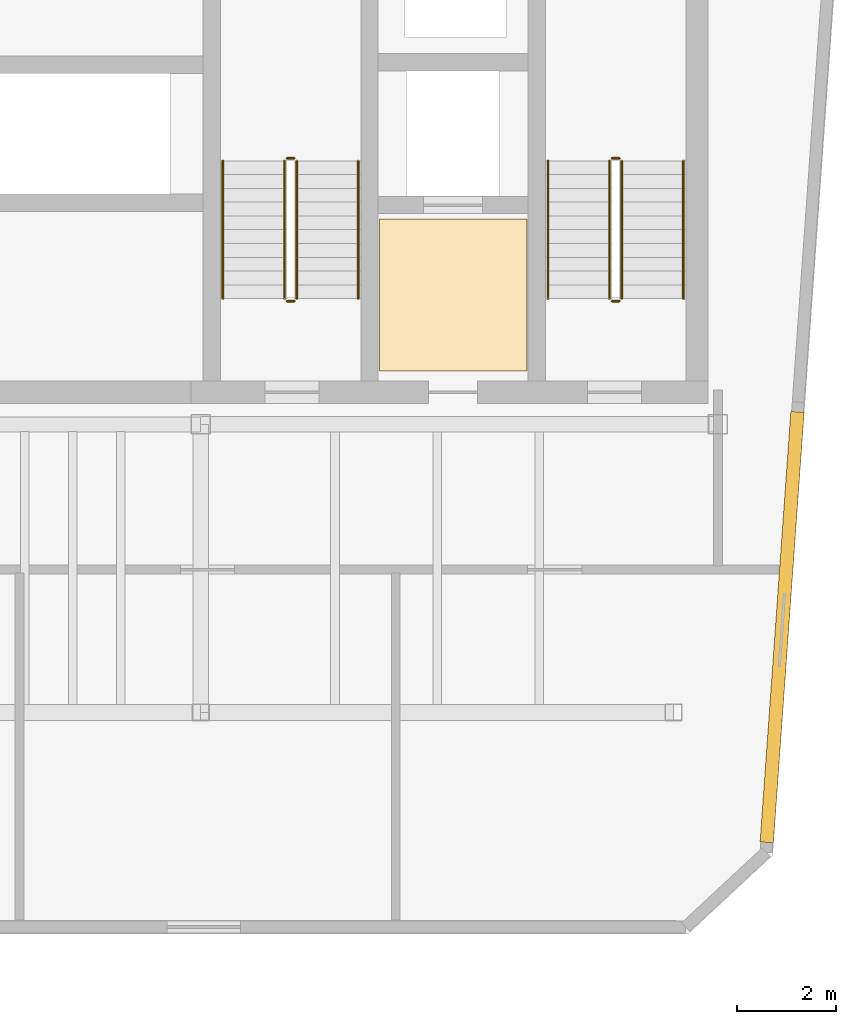
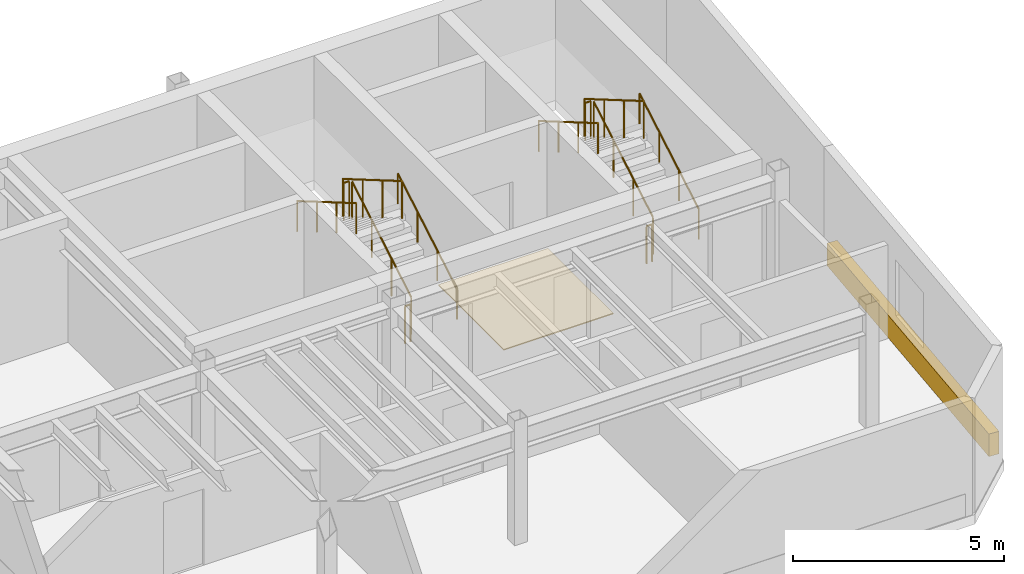
# One storey, part 4 of 4: 12 railings, 2 coverings.
"""IFC4 building model written with IfcOpenShell, lengths in metres."""

from ifc_helpers import new_model, si_unit, direction, frame, origin, origin_2d, place, context, subcontext, project, spatial, polyline, rectangle, circle, outline, extrude, material, layer, layer_set, type_object, element, save


model = new_model("IFC4")

# Units and contexts
model_context = context("Model", 3, precision=1e-05, world=origin(), true_north=direction((0.0, 1.0)))
body_context = subcontext(model_context, "Body", "Model", "MODEL_VIEW")
ifc_project = project(units=[si_unit("LENGTHUNIT", "METRE"), si_unit("AREAUNIT", "SQUARE_METRE"), si_unit("VOLUMEUNIT", "CUBIC_METRE"), si_unit("PLANEANGLEUNIT", "RADIAN"), si_unit("MASSUNIT", "GRAM", prefix="KILO")], contexts=[model_context])

# Site, building, storey
site_placement = place(None, origin())
site = spatial("IfcSite", under=ifc_project, at=site_placement, CompositionType="ELEMENT")
building_placement = place(site_placement, origin())
building = spatial("IfcBuilding", under=site, at=building_placement, Name="Kravanh Interchange Tower", CompositionType="ELEMENT")
storey_placement = place(building_placement, frame((0.0, 0.0, 315.60009765625)))
storey = spatial("IfcBuildingStorey", under=building, at=storey_placement, Name="L78", CompositionType="ELEMENT", Elevation=315.60009765625)

# Coverings
ifc_material_1 = material(Name="Anodised Champagne Bronze Aluminium", Category="aluminium")
ifc_layer_1 = layer(ifc_material_1, 0.02490234375)
ifc_layer_set_1 = layer_set([ifc_layer_1], Name="Anodised Bronze Spandrel Fascia Cladding 25mm")
covering_type_1 = type_object("IfcCoveringType", Name="Anodised Bronze Spandrel Fascia Cladding 25mm", PredefinedType="CLADDING", material=ifc_layer_set_1)
covering_1_placement = place(storey_placement, frame((67.8046875, 33.23046875, 0.02490234375), z_axis=(0.0, 0.0, 1.0), x_axis=(-0.071246253895, -0.997458756694, 0.0)))
element("IfcCovering", 1, at=covering_1_placement, inside=storey, type_object=covering_type_1, Name="L78 Bronze Fascia Cladding 7", PredefinedType="CLADDING", context=body_context, shape_type="SweptSolid", body=[
    extrude(rectangle(XDim=8.761962890625, YDim=0.27001953125, at=origin_2d()), origin(), (0.0, 0.0, 1.0), 0.64990234375),
])
ifc_material_2 = material(Name="Cementitious Terrazzo Tile")
ifc_layer_2 = layer(ifc_material_2, 0.030029296875)
ifc_layer_set_2 = layer_set([ifc_layer_2], Name="Honed Terrazzo Lobby Flooring 30mm")
covering_type_2 = type_object("IfcCoveringType", Name="Honed Terrazzo Lobby Flooring 30mm", PredefinedType="FLOORING", material=ifc_layer_set_2)
covering_2_placement = place(storey_placement, origin())
element("IfcCovering", 2, at=covering_2_placement, inside=storey, type_object=covering_type_2, Name="L78 Service Lift Lobby Floor Finish", PredefinedType="FLOORING", context=body_context, shape_type="SweptSolid", body=[
    extrude(outline(polyline([(59.6298828125, 41.52001953125), (62.6201171875, 41.52001953125), (62.6201171875, 38.429931640625), (59.6298828125, 38.429931640625), (59.6298828125, 41.52001953125)])), origin(), (0.0, 0.0, 1.0), 0.02978515625),
])

# Railings
ifc_material_3 = material(Name="Structural Steel S355", Category="steel")
ifc_layer_3 = layer(ifc_material_3, 0.050048828125)
ifc_layer_set_3 = layer_set([ifc_layer_3], Name="Stair Well Guardrail Structural Steel S355 1100mm")
railing_type_1 = type_object("IfcRailingType", Name="Stair Well Guardrail Structural Steel S355 1100mm", PredefinedType="GUARDRAIL", material=ifc_layer_set_3)
railing_1_placement = place(storey_placement, frame((64.550048828125, 39.89990234375, 0.16357421875)))
element("IfcRailing", 3, at=railing_1_placement, inside=storey, type_object=railing_type_1, Name="L78 ST1 stair guard 1", PredefinedType="GUARDRAIL", context=body_context, shape_type="SweptSolid", body=[
    extrude(circle(Radius=0.02392578125, at=origin_2d()), frame((0.0, 0.0, 1.076171875), z_axis=(0.0, 0.863393664356, 0.504530851732), x_axis=(-1.0, 0.0, 0.0)), (0.0, 0.0, 1.0), 3.2431640625),
    extrude(circle(Radius=0.02099609375, at=origin_2d()), origin(), (0.0, 0.0, 1.0), 1.052001953125),
    extrude(circle(Radius=0.02099609375, at=origin_2d()), frame((0.0, 0.933349609375, 0.54541015625)), (0.0, 0.0, 1.0), 1.052001953125),
    extrude(circle(Radius=0.02099609375, at=origin_2d()), frame((0.0, 1.86669921875, 1.0908203125)), (0.0, 0.0, 1.0), 1.052001953125),
    extrude(circle(Radius=0.02099609375, at=origin_2d()), frame((0.0, 2.800048828125, 1.63623046875)), (0.0, 0.0, 1.0), 1.052001953125),
])
railing_2_placement = place(storey_placement, frame((64.5, 42.75, 1.7998046875)))
element("IfcRailing", 4, at=railing_2_placement, inside=storey, type_object=railing_type_1, Name="L78 ST1 stair guard 2", PredefinedType="GUARDRAIL", context=body_context, shape_type="SweptSolid", body=[
    extrude(circle(Radius=0.02392578125, at=origin_2d()), frame((0.0, 0.0, 1.076171875), z_axis=(-1.0, 0.0, 0.0), x_axis=(0.0, -1.0, 0.0)), (0.0, 0.0, 1.0), 0.14990234375),
    extrude(circle(Radius=0.02099609375, at=origin_2d()), origin(), (0.0, 0.0, 1.0), 1.052001953125),
    extrude(circle(Radius=0.02099609375, at=origin_2d()), frame((-0.14990234375, 0.0, 0.0)), (0.0, 0.0, 1.0), 1.052001953125),
])
railing_3_placement = place(storey_placement, frame((64.300048828125, 42.699951171875, 1.963623046875)))
element("IfcRailing", 5, at=railing_3_placement, inside=storey, type_object=railing_type_1, Name="L78 ST1 stair guard 3", PredefinedType="GUARDRAIL", context=body_context, shape_type="SweptSolid", body=[
    extrude(circle(Radius=0.02392578125, at=origin_2d()), frame((0.0, 0.0, 1.076171875), z_axis=(0.0, -0.863393664356, 0.504530851732), x_axis=(1.0, 0.0, 0.0)), (0.0, 0.0, 1.0), 3.2431640625),
    extrude(circle(Radius=0.02099609375, at=origin_2d()), origin(), (0.0, 0.0, 1.0), 1.052001953125),
    extrude(circle(Radius=0.02099609375, at=origin_2d()), frame((0.0, -0.933349609375, 0.54541015625)), (0.0, 0.0, 1.0), 1.052001953125),
    extrude(circle(Radius=0.02099609375, at=origin_2d()), frame((0.0, -1.86669921875, 1.0908203125)), (0.0, 0.0, 1.0), 1.052001953125),
    extrude(circle(Radius=0.02099609375, at=origin_2d()), frame((0.0, -2.800048828125, 1.63623046875)), (0.0, 0.0, 1.0), 1.052001953125),
])
railing_4_placement = place(storey_placement, frame((64.5, 39.85009765625, 0.0)))
element("IfcRailing", 6, at=railing_4_placement, inside=storey, type_object=railing_type_1, Name="L78 ST1 stair guard 4", PredefinedType="GUARDRAIL", context=body_context, shape_type="SweptSolid", body=[
    extrude(circle(Radius=0.02392578125, at=origin_2d()), frame((0.0, 0.0, 1.076171875), z_axis=(-1.0, 0.0, 0.0), x_axis=(0.0, -1.0, 0.0)), (0.0, 0.0, 1.0), 0.14990234375),
    extrude(circle(Radius=0.02099609375, at=origin_2d()), origin(), (0.0, 0.0, 1.0), 1.052001953125),
    extrude(circle(Radius=0.02099609375, at=origin_2d()), frame((-0.14990234375, 0.0, 0.0)), (0.0, 0.0, 1.0), 1.052001953125),
])
railing_5_placement = place(storey_placement, frame((57.949951171875, 39.89990234375, 0.16357421875)))
element("IfcRailing", 7, at=railing_5_placement, inside=storey, type_object=railing_type_1, Name="L78 ST2 stair guard 1", PredefinedType="GUARDRAIL", context=body_context, shape_type="SweptSolid", body=[
    extrude(circle(Radius=0.02392578125, at=origin_2d()), frame((0.0, 0.0, 1.076171875), z_axis=(0.0, 0.863393664356, 0.504530851732), x_axis=(-1.0, 0.0, 0.0)), (0.0, 0.0, 1.0), 3.2431640625),
    extrude(circle(Radius=0.02099609375, at=origin_2d()), origin(), (0.0, 0.0, 1.0), 1.052001953125),
    extrude(circle(Radius=0.02099609375, at=origin_2d()), frame((0.0, 0.933349609375, 0.54541015625)), (0.0, 0.0, 1.0), 1.052001953125),
    extrude(circle(Radius=0.02099609375, at=origin_2d()), frame((0.0, 1.86669921875, 1.0908203125)), (0.0, 0.0, 1.0), 1.052001953125),
    extrude(circle(Radius=0.02099609375, at=origin_2d()), frame((0.0, 2.800048828125, 1.63623046875)), (0.0, 0.0, 1.0), 1.052001953125),
])
railing_6_placement = place(storey_placement, frame((57.89990234375, 42.75, 1.7998046875)))
element("IfcRailing", 8, at=railing_6_placement, inside=storey, type_object=railing_type_1, Name="L78 ST2 stair guard 2", PredefinedType="GUARDRAIL", context=body_context, shape_type="SweptSolid", body=[
    extrude(circle(Radius=0.02392578125, at=origin_2d()), frame((0.0, 0.0, 1.076171875), z_axis=(-1.0, 0.0, 0.0), x_axis=(0.0, -1.0, 0.0)), (0.0, 0.0, 1.0), 0.14990234375),
    extrude(circle(Radius=0.02099609375, at=origin_2d()), origin(), (0.0, 0.0, 1.0), 1.052001953125),
    extrude(circle(Radius=0.02099609375, at=origin_2d()), frame((-0.14990234375, 0.0, 0.0)), (0.0, 0.0, 1.0), 1.052001953125),
])
railing_7_placement = place(storey_placement, frame((57.699951171875, 42.699951171875, 1.963623046875)))
element("IfcRailing", 9, at=railing_7_placement, inside=storey, type_object=railing_type_1, Name="L78 ST2 stair guard 3", PredefinedType="GUARDRAIL", context=body_context, shape_type="SweptSolid", body=[
    extrude(circle(Radius=0.02392578125, at=origin_2d()), frame((0.0, 0.0, 1.076171875), z_axis=(0.0, -0.863393664356, 0.504530851732), x_axis=(1.0, 0.0, 0.0)), (0.0, 0.0, 1.0), 3.2431640625),
    extrude(circle(Radius=0.02099609375, at=origin_2d()), origin(), (0.0, 0.0, 1.0), 1.052001953125),
    extrude(circle(Radius=0.02099609375, at=origin_2d()), frame((0.0, -0.933349609375, 0.54541015625)), (0.0, 0.0, 1.0), 1.052001953125),
    extrude(circle(Radius=0.02099609375, at=origin_2d()), frame((0.0, -1.86669921875, 1.0908203125)), (0.0, 0.0, 1.0), 1.052001953125),
    extrude(circle(Radius=0.02099609375, at=origin_2d()), frame((0.0, -2.800048828125, 1.63623046875)), (0.0, 0.0, 1.0), 1.052001953125),
])
railing_8_placement = place(storey_placement, frame((57.89990234375, 39.85009765625, 0.0)))
element("IfcRailing", 10, at=railing_8_placement, inside=storey, type_object=railing_type_1, Name="L78 ST2 stair guard 4", PredefinedType="GUARDRAIL", context=body_context, shape_type="SweptSolid", body=[
    extrude(circle(Radius=0.02392578125, at=origin_2d()), frame((0.0, 0.0, 1.076171875), z_axis=(-1.0, 0.0, 0.0), x_axis=(0.0, -1.0, 0.0)), (0.0, 0.0, 1.0), 0.14990234375),
    extrude(circle(Radius=0.02099609375, at=origin_2d()), origin(), (0.0, 0.0, 1.0), 1.052001953125),
    extrude(circle(Radius=0.02099609375, at=origin_2d()), frame((-0.14990234375, 0.0, 0.0)), (0.0, 0.0, 1.0), 1.052001953125),
])
ifc_material_4 = material(Name="Stainless Steel 304", Category="steel")
ifc_layer_4 = layer(ifc_material_4, 0.044921875)
ifc_layer_set_4 = layer_set([ifc_layer_4], Name="Tubular Stair Handrail Stainless 304 900mm")
railing_type_2 = type_object("IfcRailingType", Name="Tubular Stair Handrail Stainless 304 900mm", PredefinedType="HANDRAIL", material=ifc_layer_set_4)
railing_9_placement = place(storey_placement, frame((65.800048828125, 39.89990234375, 0.16357421875)))
element("IfcRailing", 11, at=railing_9_placement, inside=storey, type_object=railing_type_2, Name="L78 ST1 stair handrail 1", PredefinedType="HANDRAIL", context=body_context, shape_type="SweptSolid", body=[
    extrude(circle(Radius=0.02392578125, at=origin_2d()), frame((0.0, 0.0, 0.8759765625), z_axis=(0.0, 0.863393664356, 0.504530851732), x_axis=(-1.0, 0.0, 0.0)), (0.0, 0.0, 1.0), 3.2431640625),
    extrude(circle(Radius=0.02099609375, at=origin_2d()), origin(), (0.0, 0.0, 1.0), 0.851806640625),
    extrude(circle(Radius=0.02099609375, at=origin_2d()), frame((0.0, 0.933349609375, 0.54541015625)), (0.0, 0.0, 1.0), 0.851806640625),
    extrude(circle(Radius=0.02099609375, at=origin_2d()), frame((0.0, 1.86669921875, 1.0908203125)), (0.0, 0.0, 1.0), 0.851806640625),
    extrude(circle(Radius=0.02099609375, at=origin_2d()), frame((0.0, 2.800048828125, 1.63623046875)), (0.0, 0.0, 1.0), 0.851806640625),
])
railing_10_placement = place(storey_placement, frame((63.050048828125, 42.699951171875, 1.963623046875)))
element("IfcRailing", 12, at=railing_10_placement, inside=storey, type_object=railing_type_2, Name="L78 ST1 stair handrail 2", PredefinedType="HANDRAIL", context=body_context, shape_type="SweptSolid", body=[
    extrude(circle(Radius=0.02392578125, at=origin_2d()), frame((0.0, 0.0, 0.8759765625), z_axis=(0.0, -0.863393664356, 0.504530851732), x_axis=(1.0, 0.0, 0.0)), (0.0, 0.0, 1.0), 3.2431640625),
    extrude(circle(Radius=0.02099609375, at=origin_2d()), origin(), (0.0, 0.0, 1.0), 0.851806640625),
    extrude(circle(Radius=0.02099609375, at=origin_2d()), frame((0.0, -0.933349609375, 0.54541015625)), (0.0, 0.0, 1.0), 0.851806640625),
    extrude(circle(Radius=0.02099609375, at=origin_2d()), frame((0.0, -1.86669921875, 1.0908203125)), (0.0, 0.0, 1.0), 0.851806640625),
    extrude(circle(Radius=0.02099609375, at=origin_2d()), frame((0.0, -2.800048828125, 1.63623046875)), (0.0, 0.0, 1.0), 0.851806640625),
])
railing_11_placement = place(storey_placement, frame((59.199951171875, 39.89990234375, 0.16357421875)))
element("IfcRailing", 13, at=railing_11_placement, inside=storey, type_object=railing_type_2, Name="L78 ST2 stair handrail 1", PredefinedType="HANDRAIL", context=body_context, shape_type="SweptSolid", body=[
    extrude(circle(Radius=0.02392578125, at=origin_2d()), frame((0.0, 0.0, 0.8759765625), z_axis=(0.0, 0.863393664356, 0.504530851732), x_axis=(-1.0, 0.0, 0.0)), (0.0, 0.0, 1.0), 3.2431640625),
    extrude(circle(Radius=0.02099609375, at=origin_2d()), origin(), (0.0, 0.0, 1.0), 0.851806640625),
    extrude(circle(Radius=0.02099609375, at=origin_2d()), frame((0.0, 0.933349609375, 0.54541015625)), (0.0, 0.0, 1.0), 0.851806640625),
    extrude(circle(Radius=0.02099609375, at=origin_2d()), frame((0.0, 1.86669921875, 1.0908203125)), (0.0, 0.0, 1.0), 0.851806640625),
    extrude(circle(Radius=0.02099609375, at=origin_2d()), frame((0.0, 2.800048828125, 1.63623046875)), (0.0, 0.0, 1.0), 0.851806640625),
])
railing_12_placement = place(storey_placement, frame((56.449951171875, 42.699951171875, 1.963623046875)))
element("IfcRailing", 14, at=railing_12_placement, inside=storey, type_object=railing_type_2, Name="L78 ST2 stair handrail 2", PredefinedType="HANDRAIL", context=body_context, shape_type="SweptSolid", body=[
    extrude(circle(Radius=0.02392578125, at=origin_2d()), frame((0.0, 0.0, 0.8759765625), z_axis=(0.0, -0.863393664356, 0.504530851732), x_axis=(1.0, 0.0, 0.0)), (0.0, 0.0, 1.0), 3.2431640625),
    extrude(circle(Radius=0.02099609375, at=origin_2d()), origin(), (0.0, 0.0, 1.0), 0.851806640625),
    extrude(circle(Radius=0.02099609375, at=origin_2d()), frame((0.0, -0.933349609375, 0.54541015625)), (0.0, 0.0, 1.0), 0.851806640625),
    extrude(circle(Radius=0.02099609375, at=origin_2d()), frame((0.0, -1.86669921875, 1.0908203125)), (0.0, 0.0, 1.0), 0.851806640625),
    extrude(circle(Radius=0.02099609375, at=origin_2d()), frame((0.0, -2.800048828125, 1.63623046875)), (0.0, 0.0, 1.0), 0.851806640625),
])

save(model, "model.ifc")
